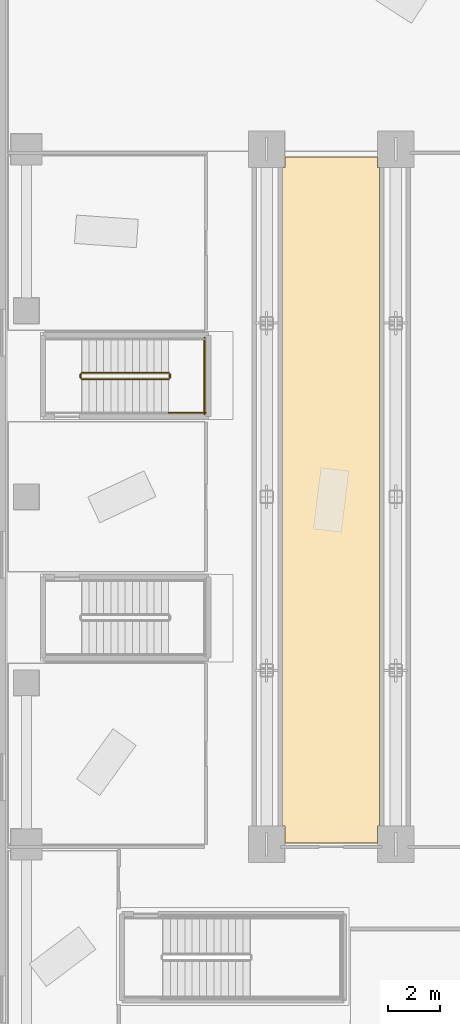
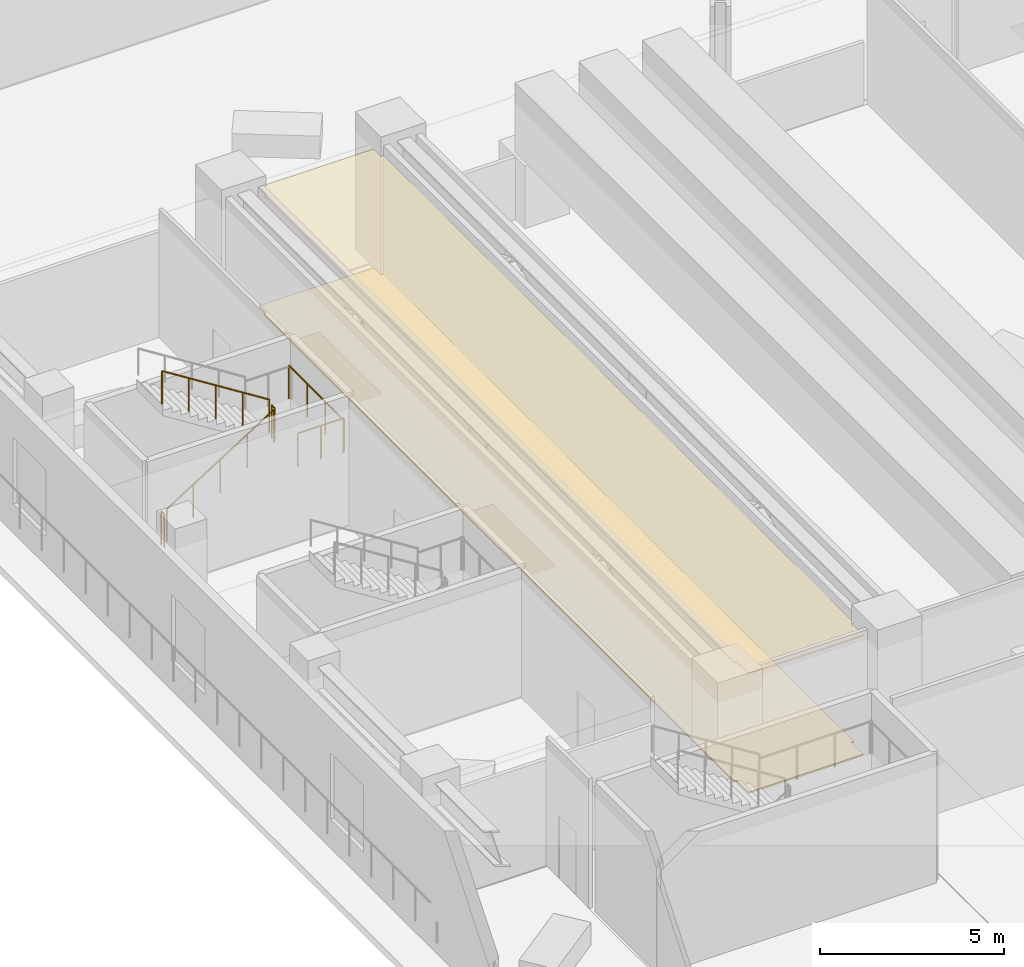
# One storey, part 15 of 24: 6 railings, 2 coverings.
"""IFC4 building model written with IfcOpenShell, lengths in metres."""

from ifc_helpers import new_model, si_unit, direction, frame, origin, origin_2d, place, context, subcontext, project, spatial, polyline, circle, outline, extrude, material, layer, layer_set, type_object, element, save


model = new_model("IFC4")

# Units and contexts
model_context = context("Model", 3, precision=1e-05, world=origin(), true_north=direction((0.0, 1.0)))
body_context = subcontext(model_context, "Body", "Model", "MODEL_VIEW")
ifc_project = project(units=[si_unit("LENGTHUNIT", "METRE"), si_unit("AREAUNIT", "SQUARE_METRE"), si_unit("VOLUMEUNIT", "CUBIC_METRE"), si_unit("PLANEANGLEUNIT", "RADIAN"), si_unit("MASSUNIT", "GRAM", prefix="KILO")], contexts=[model_context])

# Site, building, storey
site_placement = place(None, origin())
site = spatial("IfcSite", under=ifc_project, at=site_placement, CompositionType="ELEMENT")
building_placement = place(site_placement, origin())
building = spatial("IfcBuilding", under=site, at=building_placement, Name="Valkerne Bourse Tower", CompositionType="ELEMENT")
storey_placement = place(building_placement, frame((0.0, 0.0, 19.39990234375)))
storey = spatial("IfcBuildingStorey", under=building, at=storey_placement, Name="L04", CompositionType="ELEMENT", Elevation=19.39990234375)

# Coverings
ifc_material_1 = material(Name="Mineral Fiber Acoustic Ceiling Tile", Category="acoustic")
ifc_layer_1 = layer(ifc_material_1, 0.02490234375)
ifc_layer_set_1 = layer_set([ifc_layer_1], Name="Mineral Fiber Acoustic Ceiling Tile")
covering_type_1 = type_object("IfcCoveringType", Name="COV-CEIL-ACT", PredefinedType="CEILING", material=ifc_layer_set_1)
covering_1_placement = place(storey_placement, frame((0.0, 0.0, 3.9501953125)))
element("IfcCovering", 1, at=covering_1_placement, inside=storey, type_object=covering_type_1, Name="L04 Suspended Ceiling 15", PredefinedType="CEILING", context=body_context, shape_type="SweptSolid", body=[
    extrude(outline(polyline([(12.1240234375, 39.74609375), (12.2041015625, 39.74609375), (12.2041015625, 40.14599609375), (15.7958984375, 40.14599609375), (15.7958984375, 39.74609375), (15.8759765625, 39.74609375), (15.8759765625, 14.25390625), (15.7958984375, 14.25390625), (15.7958984375, 13.60400390625), (12.2041015625, 13.60400390625), (12.2041015625, 14.25390625), (12.1240234375, 14.25390625), (12.1240234375, 39.74609375)])), origin(), (0.0, 0.0, 1.0), 0.02490234375),
])
ifc_material_2 = material(Name="Galvanised Painted Steel", Category="steel")
ifc_layer_2 = layer(ifc_material_2, 0.044921875)
ifc_layer_set_2 = layer_set([ifc_layer_2], Name="Galvanised Painted Steel")
covering_type_2 = type_object("IfcCoveringType", Name="COV-FLR-RAF", PredefinedType="FLOORING", material=ifc_layer_set_2)
covering_2_placement = place(storey_placement, origin())
element("IfcCovering", 2, at=covering_2_placement, inside=storey, type_object=covering_type_2, Name="L04 Floor Finish 15", PredefinedType="FLOORING", context=body_context, shape_type="SweptSolid", body=[
    extrude(outline(polyline([(12.1240234375, 39.74609375), (12.2041015625, 39.74609375), (12.2041015625, 40.14599609375), (15.7958984375, 40.14599609375), (15.7958984375, 39.74609375), (15.8759765625, 39.74609375), (15.8759765625, 14.25390625), (15.7958984375, 14.25390625), (15.7958984375, 13.60400390625), (12.2041015625, 13.60400390625), (12.2041015625, 14.25390625), (12.1240234375, 14.25390625), (12.1240234375, 39.74609375)])), origin(), (0.0, 0.0, 1.0), 0.045166015625),
])

# Railings
railing_type = type_object("IfcRailingType", Name="RLG-ST-GUARD-1120", PredefinedType="GUARDRAIL", material=ifc_material_2)
railing_1_placement = place(storey_placement, frame((4.35009765625, 31.550048828125, 0.177001953125)))
element("IfcRailing", 3, at=railing_1_placement, inside=storey, type_object=railing_type, Name="L04 ST-G2 stair guard 1", PredefinedType="GUARDRAIL", context=body_context, shape_type="SweptSolid", body=[
    extrude(circle(Radius=0.02392578125, at=origin_2d()), frame((0.0, 0.0, 1.09619140625), z_axis=(0.845372108799, 0.0, 0.534177870812), x_axis=(0.0, 1.0, 0.0)), (0.0, 0.0, 1.0), 3.974365234375),
    extrude(circle(Radius=0.02099609375, at=origin_2d()), origin(), (0.0, 0.0, 1.0), 1.072021484375),
    extrude(circle(Radius=0.02099609375, at=origin_2d()), frame((0.83984375, 0.0, 0.53076171875)), (0.0, 0.0, 1.0), 1.072021484375),
    extrude(circle(Radius=0.02099609375, at=origin_2d()), frame((1.679931640625, 0.0, 1.0615234375)), (0.0, 0.0, 1.0), 1.072021484375),
    extrude(circle(Radius=0.02099609375, at=origin_2d()), frame((2.52001953125, 0.0, 1.59228515625)), (0.0, 0.0, 1.0), 1.072021484375),
    extrude(circle(Radius=0.02099609375, at=origin_2d()), frame((3.35986328125, 0.0, 2.123046875)), (0.0, 0.0, 1.0), 1.072021484375),
])
railing_2_placement = place(storey_placement, frame((7.760009765625, 31.60009765625, 2.300048828125)))
element("IfcRailing", 4, at=railing_2_placement, inside=storey, type_object=railing_type, Name="L04 ST-G2 stair guard 2", PredefinedType="GUARDRAIL", context=body_context, shape_type="SweptSolid", body=[
    extrude(circle(Radius=0.02392578125, at=origin_2d()), frame((0.0, 0.0, 1.09619140625), z_axis=(0.0, 1.0, 0.0), x_axis=(-1.0, 0.0, 0.0)), (0.0, 0.0, 1.0), 0.14990234375),
    extrude(circle(Radius=0.02099609375, at=origin_2d()), origin(), (0.0, 0.0, 1.0), 1.072021484375),
    extrude(circle(Radius=0.02099609375, at=origin_2d()), frame((0.0, 0.14990234375, 0.0)), (0.0, 0.0, 1.0), 1.072021484375),
])
railing_3_placement = place(storey_placement, frame((7.7099609375, 30.25, 2.300048828125)))
element("IfcRailing", 5, at=railing_3_placement, inside=storey, type_object=railing_type, Name="L04 ST-G2 stair guard 3", PredefinedType="GUARDRAIL", context=body_context, shape_type="SweptSolid", body=[
    extrude(circle(Radius=0.02392578125, at=origin_2d()), frame((0.0, 0.0, 1.09619140625), z_axis=(1.0, 0.0, 0.0), x_axis=(0.0, 1.0, 0.0)), (0.0, 0.0, 1.0), 1.43994140625),
    extrude(circle(Radius=0.02099609375, at=origin_2d()), origin(), (0.0, 0.0, 1.0), 1.072021484375),
    extrude(circle(Radius=0.02099609375, at=origin_2d()), frame((0.719970703125, 0.0, 0.0)), (0.0, 0.0, 1.0), 1.072021484375),
    extrude(circle(Radius=0.02099609375, at=origin_2d()), frame((1.43994140625, 0.0, 0.0)), (0.0, 0.0, 1.0), 1.072021484375),
])
railing_4_placement = place(storey_placement, frame((9.10009765625, 30.199951171875, 2.300048828125)))
element("IfcRailing", 6, at=railing_4_placement, inside=storey, type_object=railing_type, Name="L04 ST-G2 stair guard 5", PredefinedType="GUARDRAIL", context=body_context, shape_type="SweptSolid", body=[
    extrude(circle(Radius=0.02392578125, at=origin_2d()), frame((0.0, 0.0, 1.09619140625), z_axis=(0.0, 1.0, 0.0), x_axis=(-1.0, 0.0, 0.0)), (0.0, 0.0, 1.0), 2.949951171875),
    extrude(circle(Radius=0.02099609375, at=origin_2d()), origin(), (0.0, 0.0, 1.0), 1.072021484375),
    extrude(circle(Radius=0.02099609375, at=origin_2d()), frame((0.0, 0.9833984375, 0.0)), (0.0, 0.0, 1.0), 1.072021484375),
    extrude(circle(Radius=0.02099609375, at=origin_2d()), frame((0.0, 1.966552734375, 0.0)), (0.0, 0.0, 1.0), 1.072021484375),
    extrude(circle(Radius=0.02099609375, at=origin_2d()), frame((0.0, 2.949951171875, 0.0)), (0.0, 0.0, 1.0), 1.072021484375),
])
railing_5_placement = place(storey_placement, frame((7.7099609375, 31.800048828125, 2.47705078125)))
element("IfcRailing", 7, at=railing_5_placement, inside=storey, type_object=railing_type, Name="L04 ST-G2 stair guard 6", PredefinedType="GUARDRAIL", context=body_context, shape_type="SweptSolid", body=[
    extrude(circle(Radius=0.02392578125, at=origin_2d()), frame((0.0, 0.0, 1.09619140625), z_axis=(-0.845372108799, 0.0, 0.534177870812), x_axis=(0.0, -1.0, 0.0)), (0.0, 0.0, 1.0), 3.974365234375),
    extrude(circle(Radius=0.02099609375, at=origin_2d()), origin(), (0.0, 0.0, 1.0), 1.072021484375),
    extrude(circle(Radius=0.02099609375, at=origin_2d()), frame((-0.83984375, 0.0, 0.53076171875)), (0.0, 0.0, 1.0), 1.072021484375),
    extrude(circle(Radius=0.02099609375, at=origin_2d()), frame((-1.679931640625, 0.0, 1.0615234375)), (0.0, 0.0, 1.0), 1.072021484375),
    extrude(circle(Radius=0.02099609375, at=origin_2d()), frame((-2.52001953125, 0.0, 1.59228515625)), (0.0, 0.0, 1.0), 1.072021484375),
    extrude(circle(Radius=0.02099609375, at=origin_2d()), frame((-3.35986328125, 0.0, 2.123046875)), (0.0, 0.0, 1.0), 1.072021484375),
])
railing_6_placement = place(storey_placement, frame((4.300048828125, 31.60009765625, 0.0)))
element("IfcRailing", 8, at=railing_6_placement, inside=storey, type_object=railing_type, Name="L04 ST-G2 stair guard 7", PredefinedType="GUARDRAIL", context=body_context, shape_type="SweptSolid", body=[
    extrude(circle(Radius=0.02392578125, at=origin_2d()), frame((0.0, 0.0, 1.09619140625), z_axis=(0.0, 1.0, 0.0), x_axis=(-1.0, 0.0, 0.0)), (0.0, 0.0, 1.0), 0.14990234375),
    extrude(circle(Radius=0.02099609375, at=origin_2d()), origin(), (0.0, 0.0, 1.0), 1.072021484375),
    extrude(circle(Radius=0.02099609375, at=origin_2d()), frame((0.0, 0.14990234375, 0.0)), (0.0, 0.0, 1.0), 1.072021484375),
])

save(model, "model.ifc")
